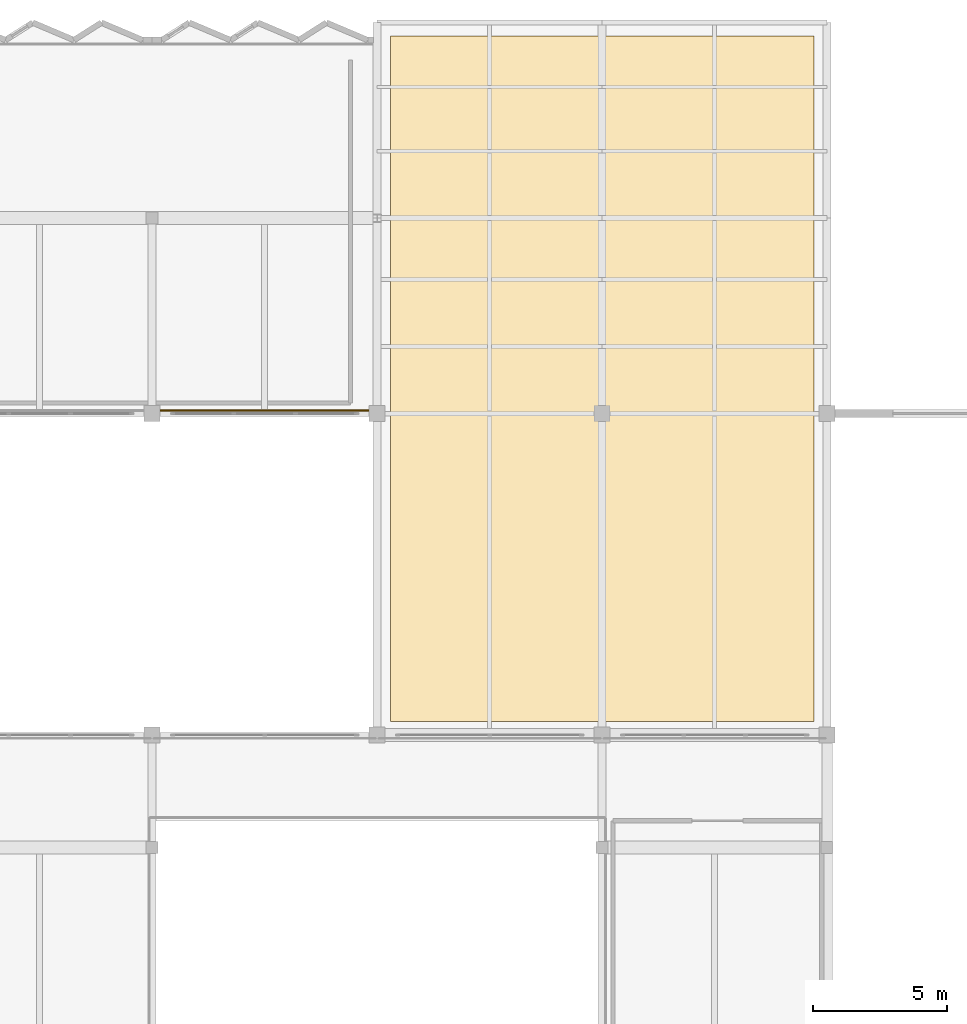
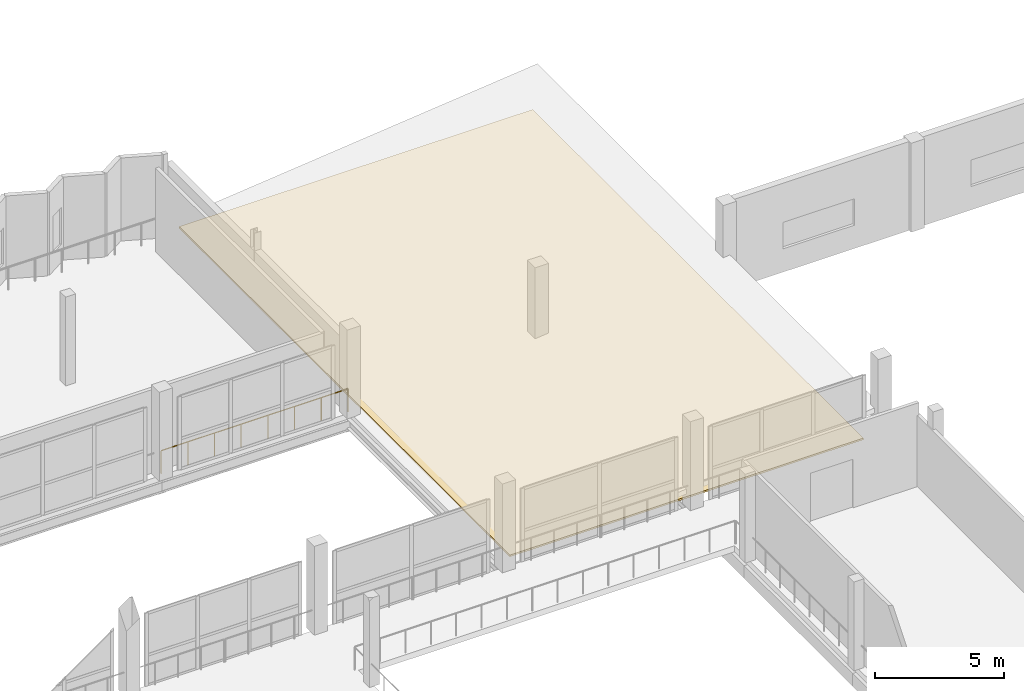
# One storey, part 51 of 53: 1 covering, 1 railing.
"""IFC4 building model written with IfcOpenShell, lengths in metres."""

from ifc_helpers import new_model, si_unit, direction, frame, origin, origin_2d, place, context, subcontext, project, spatial, polyline, circle, outline, extrude, material, layer, layer_set, type_object, element, save


model = new_model("IFC4")

# Units and contexts
model_context = context("Model", 3, precision=1e-05, world=origin(), true_north=direction((0.0, 1.0)))
body_context = subcontext(model_context, "Body", "Model", "MODEL_VIEW")
ifc_project = project(units=[si_unit("LENGTHUNIT", "METRE"), si_unit("AREAUNIT", "SQUARE_METRE"), si_unit("VOLUMEUNIT", "CUBIC_METRE"), si_unit("PLANEANGLEUNIT", "RADIAN"), si_unit("MASSUNIT", "GRAM", prefix="KILO")], contexts=[model_context])

# Site, building, storey
site_placement = place(None, origin())
site = spatial("IfcSite", under=ifc_project, at=site_placement, CompositionType="ELEMENT")
building_placement = place(site_placement, origin())
building = spatial("IfcBuilding", under=site, at=building_placement, Name="Vharandega Faculty of Natural Sciences", CompositionType="ELEMENT")
storey_placement = place(building_placement, frame((0.0, 0.0, 10.199951171875)))
storey = spatial("IfcBuildingStorey", under=building, at=storey_placement, Name="L02", CompositionType="ELEMENT", Elevation=10.199951171875)

# Railing
ifc_material_1 = material(Name="Timber-capped steel and glass balustrade", Category="steel")
railing_type = type_object("IfcRailingType", Name="Atrium Void Balustrade 1100", PredefinedType="BALUSTRADE", material=ifc_material_1)
railing_placement = place(storey_placement, frame((64.425048828125, 97.1201171875, 0.0)))
element("IfcRailing", 1, at=railing_placement, inside=storey, type_object=railing_type, Name="Commons Courtyard Sill Balustrade L02 #6", PredefinedType="BALUSTRADE", context=body_context, shape_type="SweptSolid", body=[
    extrude(circle(Radius=0.02392578125, at=origin_2d()), frame((0.0, 0.0, 1.076171875), z_axis=(1.0, 0.0, 0.0), x_axis=(0.0, 1.0, 0.0)), (0.0, 0.0, 1.0), 8.349853515625),
    extrude(circle(Radius=0.02099609375, at=origin_2d()), origin(), (0.0, 0.0, 1.0), 1.052001953125),
    extrude(circle(Radius=0.02099609375, at=origin_2d()), frame((1.19287109375, 0.0, 0.0)), (0.0, 0.0, 1.0), 1.052001953125),
    extrude(circle(Radius=0.02099609375, at=origin_2d()), frame((2.3857421875, 0.0, 0.0)), (0.0, 0.0, 1.0), 1.052001953125),
    extrude(circle(Radius=0.02099609375, at=origin_2d()), frame((3.57861328125, 0.0, 0.0)), (0.0, 0.0, 1.0), 1.052001953125),
    extrude(circle(Radius=0.02099609375, at=origin_2d()), frame((4.771240234375, 0.0, 0.0)), (0.0, 0.0, 1.0), 1.052001953125),
    extrude(circle(Radius=0.02099609375, at=origin_2d()), frame((5.964111328125, 0.0, 0.0)), (0.0, 0.0, 1.0), 1.052001953125),
    extrude(circle(Radius=0.02099609375, at=origin_2d()), frame((7.156982421875, 0.0, 0.0)), (0.0, 0.0, 1.0), 1.052001953125),
    extrude(circle(Radius=0.02099609375, at=origin_2d()), frame((8.349853515625, 0.0, 0.0)), (0.0, 0.0, 1.0), 1.052001953125),
])

# Covering
ifc_material_2 = material(Name="Single-ply TPO waterproofing membrane and insulation", Category="concrete")
ifc_layer = layer(ifc_material_2, 0.080078125, Name="Single-ply TPO waterproofing membrane and insulation")
ifc_layer_set = layer_set([ifc_layer], Name="Single-ply TPO waterproofing membrane and insulation")
covering_type = type_object("IfcCoveringType", Name="Insulated Waterproofing Roof Membrane", PredefinedType="ROOFING", material=ifc_layer_set)
covering_placement = place(storey_placement, origin())
element("IfcCovering", 2, at=covering_placement, inside=storey, type_object=covering_type, Name="Roof Covering L02-06", PredefinedType="ROOFING", context=body_context, shape_type="SweptSolid", body=[
    extrude(outline(polyline([(73.300048828125, 85.5), (89.10009765625, 85.5), (89.10009765625, 111.10009765625), (73.300048828125, 111.10009765625), (73.300048828125, 85.5)])), origin(), (0.0, 0.0, 1.0), 0.080078125),
])

save(model, "model.ifc")
